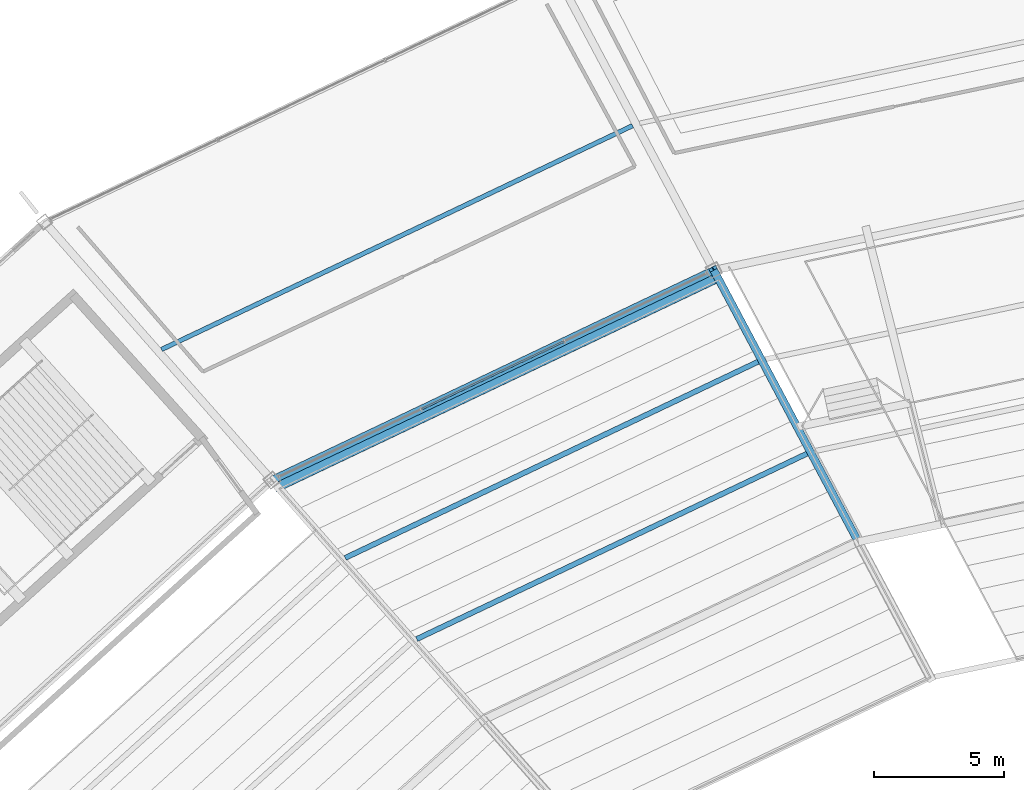
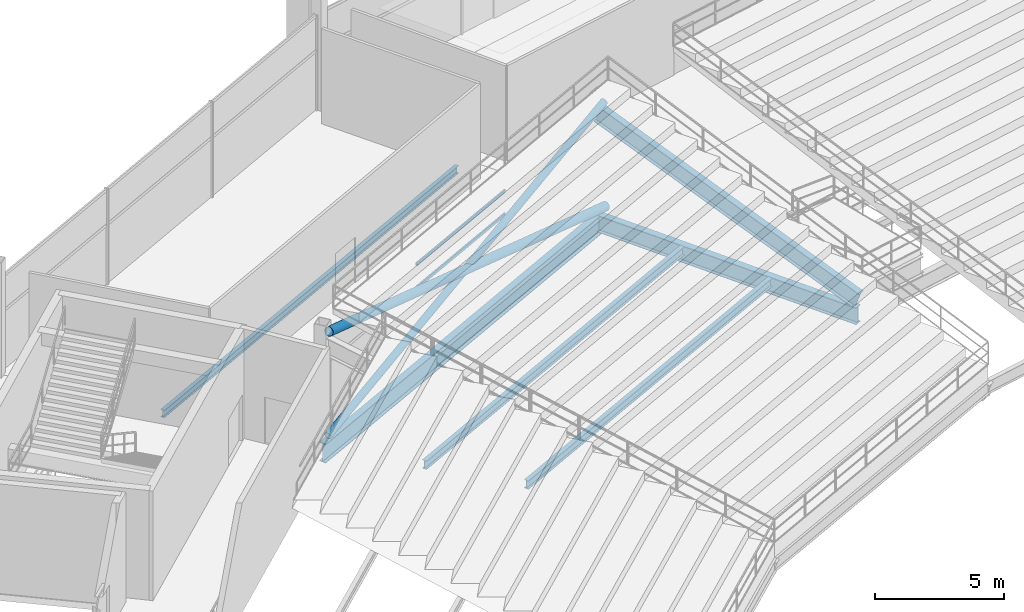
# One storey, part 89 of 186: 6 beams, 4 members, 1 element without a shape of its own.
"""IFC4 building model written with IfcOpenShell, lengths in metres."""

from ifc_helpers import new_model, si_unit, direction, frame, origin, origin_2d, place, context, subcontext, project, spatial, hollow_rectangle, hollow_circle, i_section, extrude, material, layer, layer_set, material_profile, profile_set, type_object, element, aggregate, save


model = new_model("IFC4")

# Units and contexts
model_context = context("Model", 3, precision=1e-05, world=origin(), true_north=direction((0.0, 1.0)))
body_context = subcontext(model_context, "Body", "Model", "MODEL_VIEW")
ifc_project = project(units=[si_unit("LENGTHUNIT", "METRE"), si_unit("AREAUNIT", "SQUARE_METRE"), si_unit("VOLUMEUNIT", "CUBIC_METRE"), si_unit("PLANEANGLEUNIT", "RADIAN"), si_unit("MASSUNIT", "GRAM", prefix="KILO")], contexts=[model_context])

# Site, building, storey
site_placement = place(None, origin())
site = spatial("IfcSite", under=ifc_project, at=site_placement, CompositionType="ELEMENT")
building_placement = place(site_placement, origin())
building = spatial("IfcBuilding", under=site, at=building_placement, Name="Kazemori Nagisa Stadium", CompositionType="ELEMENT")
storey_placement = place(building_placement, frame((0.0, 0.0, 20.39990234375)))
storey = spatial("IfcBuildingStorey", under=building, at=storey_placement, Name="L04", CompositionType="ELEMENT", Elevation=20.39990234375)

# Beams
ifc_material_1 = material(Name="Steel SN490B", Category="steel")
ifc_material_profile_1 = material_profile(ifc_material_1, i_section(OverallWidth=0.300048828125, OverallDepth=0.800048828125, WebThickness=0.013916015625, FlangeThickness=0.02587890625, FilletRadius=0.01806640625, at=origin_2d()), Name="H-800x300x14x26")
ifc_profile_set_1 = profile_set([ifc_material_profile_1], Name="Steel SN490B")
beam_type_1 = type_object("IfcBeamType", Name="Beam_BG-H800", PredefinedType="BEAM", material=ifc_profile_set_1)
beam_1_placement = place(storey_placement, frame((91.75244140625, 160.739013671875, -0.699951171875), z_axis=(-0.469646804203, 0.882854393036, 0.0), x_axis=(-0.882854393036, -0.469646804203, 0.0)))
element("IfcBeam", 1, at=beam_1_placement, inside=storey, type_object=beam_type_1, Name="Radial girder BG-H800 L04 R1-R2-10", PredefinedType="BEAM", context=body_context, shape_type="SweptSolid", body=[
    extrude(i_section(OverallWidth=0.300048828125, OverallDepth=0.800048828125, WebThickness=0.013916015625, FlangeThickness=0.02587890625, FilletRadius=0.01806640625, at=origin_2d()), origin(), (0.0, 0.0, 1.0), 11.84814453125),
])
ifc_material_profile_2 = material_profile(ifc_material_1, i_section(OverallWidth=0.300048828125, OverallDepth=0.89990234375, WebThickness=0.01611328125, FlangeThickness=0.028076171875, FilletRadius=0.01806640625, at=origin_2d()), Name="H-900x300x16x28")
ifc_profile_set_2 = profile_set([ifc_material_profile_2], Name="Steel SN490B")
beam_type_2 = type_object("IfcBeamType", Name="Beam_BG-H900", PredefinedType="BEAM", material=ifc_profile_set_2)
beam_2_placement = place(storey_placement, frame((86.18798828125, 171.19921875, -0.75), z_axis=(-0.90321938295, -0.42917915404, 0.0), x_axis=(0.42917915404, -0.90321938295, 0.0)))
element("IfcBeam", 2, at=beam_2_placement, inside=storey, type_object=beam_type_2, Name="Ring girder BG-H900 L04 R2-10", PredefinedType="BEAM", context=body_context, shape_type="SweptSolid", body=[
    extrude(i_section(OverallWidth=0.300048828125, OverallDepth=0.89990234375, WebThickness=0.01611328125, FlangeThickness=0.028076171875, FilletRadius=0.01806640625, at=origin_2d()), origin(), (0.0, 0.0, 1.0), 18.84619140625),
])
ifc_material_profile_3 = material_profile(ifc_material_1, i_section(OverallWidth=0.175048828125, OverallDepth=0.35009765625, WebThickness=0.007080078125, FlangeThickness=0.010986328125, FilletRadius=0.012939453125, at=origin_2d()), Name="H-350x175x7x11")
ifc_profile_set_3 = profile_set([ifc_material_profile_3], Name="Steel SN490B")
beam_type_3 = type_object("IfcBeamType", Name="Beam_BJ-H350", PredefinedType="JOIST", material=ifc_profile_set_3)
beam_3_placement = place(storey_placement, frame((83.060546875, 176.76953125, -0.474853515625), z_axis=(-0.90321332486, -0.429191903228, 0.0), x_axis=(0.429191903228, -0.90321332486, 0.0)))
element("IfcBeam", 3, at=beam_3_placement, inside=storey, type_object=beam_type_3, Name="Outer bay joist BJ-H350 L04 B10", PredefinedType="JOIST", context=body_context, shape_type="SweptSolid", body=[
    extrude(i_section(OverallWidth=0.175048828125, OverallDepth=0.35009765625, WebThickness=0.007080078125, FlangeThickness=0.010986328125, FilletRadius=0.012939453125, at=origin_2d()), origin(), (0.0, 0.0, 1.0), 20.09033203125),
])
ifc_material_profile_4 = material_profile(ifc_material_1, i_section(OverallWidth=0.199951171875, OverallDepth=0.39990234375, WebThickness=0.008056640625, FlangeThickness=0.012939453125, FilletRadius=0.012939453125, at=origin_2d()), Name="H-400x200x8x13")
ifc_profile_set_4 = profile_set([ifc_material_profile_4], Name="Steel SN490B")
beam_type_4 = type_object("IfcBeamType", Name="Beam_BJ-H400", PredefinedType="JOIST", material=ifc_profile_set_4)
beam_4_placement = place(storey_placement, frame((89.781005859375, 164.13671875, -0.5), z_axis=(-0.903212567419, -0.429193497221, 0.0), x_axis=(0.429193497221, -0.903212567419, 0.0)))
element("IfcBeam", 4, at=beam_4_placement, inside=storey, type_object=beam_type_4, Name="Concourse joist BJ-H400 L04 B10-1", PredefinedType="JOIST", context=body_context, shape_type="SweptSolid", body=[
    extrude(i_section(OverallWidth=0.199951171875, OverallDepth=0.39990234375, WebThickness=0.008056640625, FlangeThickness=0.012939453125, FilletRadius=0.012939453125, at=origin_2d()), origin(), (0.0, 0.0, 1.0), 16.64990234375),
])
beam_5_placement = place(storey_placement, frame((87.8974609375, 167.677001953125, -0.5), z_axis=(-0.90321531537, -0.429187714272, 0.0), x_axis=(0.429187714272, -0.90321531537, 0.0)))
element("IfcBeam", 5, at=beam_5_placement, inside=storey, type_object=beam_type_4, Name="Concourse joist BJ-H400 L04 B10-2", PredefinedType="JOIST", context=body_context, shape_type="SweptSolid", body=[
    extrude(i_section(OverallWidth=0.199951171875, OverallDepth=0.39990234375, WebThickness=0.008056640625, FlangeThickness=0.012939453125, FilletRadius=0.012939453125, at=origin_2d()), origin(), (0.0, 0.0, 1.0), 17.61376953125),
])
ifc_material_profile_5 = material_profile(ifc_material_1, i_section(OverallWidth=0.300048828125, OverallDepth=0.800048828125, WebThickness=0.013916015625, FlangeThickness=0.02587890625, FilletRadius=0.01806640625, at=origin_2d()), Name="H-800x300x14x26")
ifc_profile_set_5 = profile_set([ifc_material_profile_5], Name="Steel SN490B")
beam_type_5 = type_object("IfcBeamType", Name="Beam_RK-ST800", PredefinedType="USERDEFINED", material=ifc_profile_set_5)
beam_6_placement = place(storey_placement, frame((91.75244140625, 160.739013671875, 0.02001953125), z_axis=(-0.439901103291, 0.826937643493, 0.350230143046), x_axis=(-0.882854393036, -0.469646804203, 0.0)))
element("IfcBeam", 6, at=beam_6_placement, inside=storey, type_object=beam_type_5, Name="Raker beam upper backspan RK3-10B", ObjectType="RAKER BEAM", PredefinedType="USERDEFINED", context=body_context, shape_type="SweptSolid", body=[
    extrude(i_section(OverallWidth=0.300048828125, OverallDepth=0.800048828125, WebThickness=0.013916015625, FlangeThickness=0.02587890625, FilletRadius=0.01806640625, at=origin_2d()), origin(), (0.0, 0.0, 1.0), 12.6494140625),
])

# Members
ifc_material_2 = material(Name="Steel STK490", Category="steel")
ifc_material_profile_6 = material_profile(ifc_material_2, hollow_circle(Radius=0.1591796875, WallThickness=0.01025390625, at=origin_2d()), Name="CHS-318.5x10.3")
ifc_profile_set_6 = profile_set([ifc_material_profile_6], Name="Steel STK490")
member_type_1 = type_object("IfcMemberType", Name="Member_TB-CHS318", PredefinedType="BRACE", material=ifc_profile_set_6)
member_1_placement = place(storey_placement, frame((69.274658203125, 162.88134765625, 0.150146484375), z_axis=(0.873703393319, 0.415154158895, 0.253553554213), x_axis=(-0.42917915404, 0.90321938295, 0.0)))
element("IfcMember", 7, at=member_1_placement, inside=storey, type_object=member_type_1, Name="Seismic brace TB-CHS318 L04 B10-B", PredefinedType="BRACE", context=body_context, shape_type="SweptSolid", body=[
    extrude(hollow_circle(Radius=0.1591796875, WallThickness=0.01025390625, at=origin_2d()), origin(), (0.0, 0.0, 1.0), 19.48291015625),
])
ifc_material_profile_7 = material_profile(ifc_material_2, hollow_circle(Radius=0.203125, WallThickness=0.014404296875, at=origin_2d()), Name="CHS-406.4x14.3")
ifc_profile_set_7 = profile_set([ifc_material_profile_7], Name="Steel STK490")
member_type_2 = type_object("IfcMemberType", Name="Member_TB-CHS406", PredefinedType="BRACE", material=ifc_profile_set_7)
member_2_placement = place(storey_placement, frame((86.316650390625, 170.92822265625, 0.150146484375), z_axis=(-0.873703393319, -0.415154158895, 0.253553554213), x_axis=(0.42917915404, -0.90321938295, 0.0)))
element("IfcMember", 8, at=member_2_placement, inside=storey, type_object=member_type_2, Name="Seismic brace TB-CHS355 L04 B10-A", PredefinedType="BRACE", context=body_context, shape_type="SweptSolid", body=[
    extrude(hollow_circle(Radius=0.203125, WallThickness=0.014404296875, at=origin_2d()), origin(), (0.0, 0.0, 1.0), 19.48291015625),
])

# Curtain wall, members
ifc_material_3 = material(Name="Anodised aluminium 6063-T5", Category="aluminium")
ifc_layer = layer(ifc_material_3, 0.179931640625, Name="Anodised aluminium 6063-T5", Category="aluminium")
ifc_layer_set = layer_set([ifc_layer], Name="Anodised aluminium 6063-T5")
curtain_wall_type = type_object("IfcCurtainWallType", Name="CW_L04B_92", PredefinedType="USERDEFINED", material=ifc_layer_set)
curtain_wall_placement = place(storey_placement, origin())
curtain_wall = element("IfcCurtainWall", 9, at=curtain_wall_placement, inside=storey, type_object=curtain_wall_type, Name="Unitised curtain wall CW-L04B-92 L04", ObjectType="UNITISED CURTAIN WALL", PredefinedType="USERDEFINED")
ifc_material_4 = material(Name="Aluminium 6063-T5 anodised", Category="aluminium")
ifc_material_profile_8 = material_profile(ifc_material_4, hollow_rectangle(XDim=0.070068359375, YDim=0.139892578125, WallThickness=0.00390625, at=origin_2d()), Name="ALU-TRAN-70x140x4")
ifc_profile_set_8 = profile_set([ifc_material_profile_8], Name="Aluminium 6063-T5 anodised")
member_type_3 = type_object("IfcMemberType", Name="Transom_T01", PredefinedType="USERDEFINED", material=ifc_profile_set_8)
member_3_placement = place(storey_placement, frame((80.406982421875, 168.452392578125, 3.352294921875), z_axis=(-0.903205103726, -0.429209203774, 0.0), x_axis=(0.429209203774, -0.903205103726, 0.0)))
member_3 = element("IfcMember", 10, at=member_3_placement, type_object=member_type_3, Name="Curtain wall transom CW-L04B-92-T2-mid", ObjectType="TRANSOM", PredefinedType="USERDEFINED", context=body_context, shape_type="SweptSolid", body=[
    extrude(hollow_rectangle(XDim=0.070068359375, YDim=0.139892578125, WallThickness=0.00390625, at=origin_2d()), origin(), (0.0, 0.0, 1.0), 6.04541015625),
])
member_4_placement = place(storey_placement, frame((80.406982421875, 168.452392578125, 4.460205078125), z_axis=(-0.903205103726, -0.429209203774, 0.0), x_axis=(0.429209203774, -0.903205103726, 0.0)))
member_4 = element("IfcMember", 11, at=member_4_placement, type_object=member_type_3, Name="Curtain wall transom CW-L04B-92-T2-head", ObjectType="TRANSOM", PredefinedType="USERDEFINED", context=body_context, shape_type="SweptSolid", body=[
    extrude(hollow_rectangle(XDim=0.070068359375, YDim=0.139892578125, WallThickness=0.00390625, at=origin_2d()), origin(), (0.0, 0.0, 1.0), 6.04541015625),
])
aggregate(curtain_wall, [member_3, member_4])

save(model, "model.ifc")
